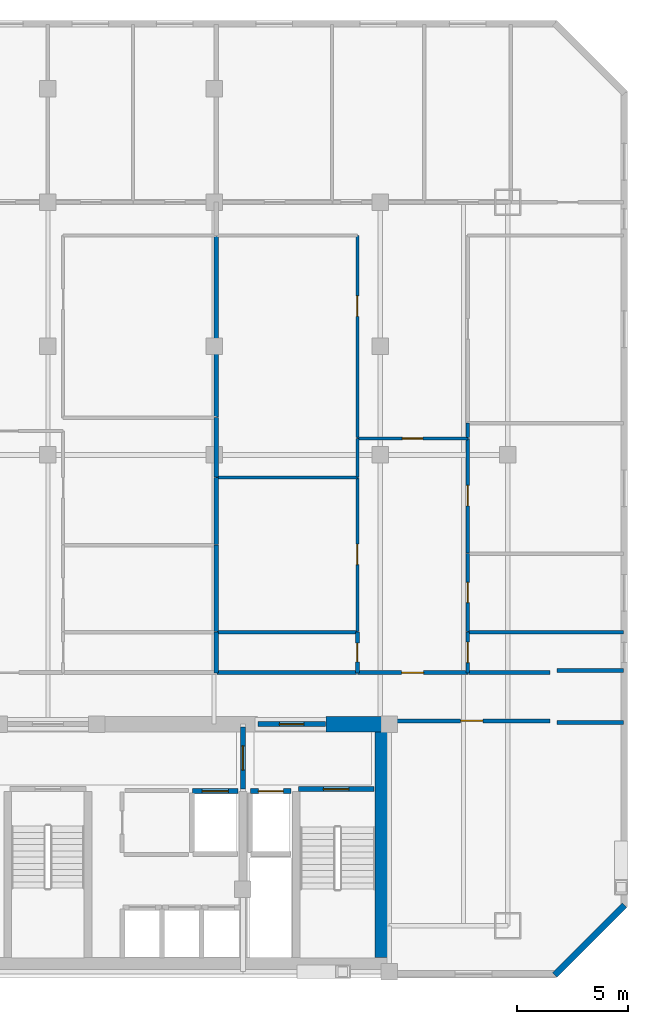
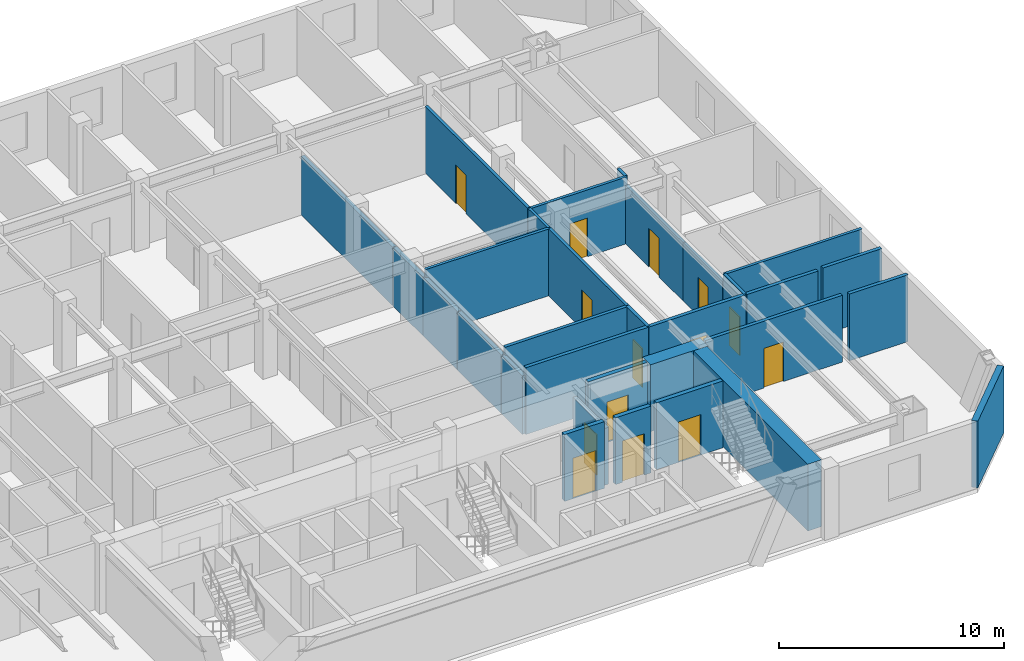
# One storey, part 5 of 8: 31 walls, 14 doors, 14 openings.
"""IFC4 building model written with IfcOpenShell, lengths in metres."""

from ifc_helpers import new_model, si_unit, direction, frame, frame_2d, origin, place, context, subcontext, project, spatial, rectangle, extrude, material, layer, layer_set, type_object, element, fill, save


model = new_model("IFC4")

# Units and contexts
model_context = context("Model", 3, precision=1e-05, world=origin(), true_north=direction((0.0, 1.0)))
body_context = subcontext(model_context, "Body", "Model", "MODEL_VIEW")
ifc_project = project(units=[si_unit("LENGTHUNIT", "METRE"), si_unit("AREAUNIT", "SQUARE_METRE"), si_unit("VOLUMEUNIT", "CUBIC_METRE"), si_unit("PLANEANGLEUNIT", "RADIAN"), si_unit("MASSUNIT", "GRAM", prefix="KILO")], contexts=[model_context])

# Site, building, storey
site_placement = place(None, origin())
site = spatial("IfcSite", under=ifc_project, at=site_placement, CompositionType="ELEMENT")
building_placement = place(site_placement, origin())
building = spatial("IfcBuilding", under=site, at=building_placement, Name="Ventersveld Concourse Tower", CompositionType="ELEMENT")
storey_placement = place(building_placement, frame((0.0, 0.0, 149.050048828125)))
storey = spatial("IfcBuildingStorey", under=building, at=storey_placement, Name="L36", CompositionType="ELEMENT", Elevation=149.050048828125)

# Walls
ifc_material_1 = material(Name="Concrete C60/75", Category="concrete")
ifc_layer_1 = layer(ifc_material_1, 0.699951171875)
ifc_layer_set_1 = layer_set([ifc_layer_1], Name="Concrete C60/75")
wall_type_1 = type_object("IfcWallType", Name="WL-CORE-700", PredefinedType="SHEAR", material=ifc_layer_set_1)
wall_1_placement = place(storey_placement, frame((43.85009765625, 0.919921875, 0.0), z_axis=(0.0, 0.0, 1.0), x_axis=(0.0, 1.0, 0.0)))
element("IfcWall", 1, at=wall_1_placement, inside=storey, type_object=wall_type_1, Name="L36 Rear Core East Shear Wall", PredefinedType="SHEAR", context=body_context, shape_type="SweptSolid", body=[
    extrude(rectangle(XDim=10.530029296875, YDim=0.699951171875, at=frame_2d((5.26513671875, 0.0))), origin(), (0.0, 0.0, 1.0), 3.6298828125),
])
wall_2_placement = place(storey_placement, frame((41.300048828125, 11.449951171875, 0.0), z_axis=(0.0, 0.0, 1.0), x_axis=(1.0, 0.0, 0.0)))
element("IfcWall", 2, at=wall_2_placement, inside=storey, type_object=wall_type_1, Name="L36 Rear Core North Shear Wall NE", PredefinedType="SHEAR", context=body_context, shape_type="SweptSolid", body=[
    extrude(rectangle(XDim=2.949951171875, YDim=0.699951171875, at=frame_2d((1.47509765625, 0.0))), origin(), (0.0, 0.0, 1.0), 3.6298828125),
])

# Wall, opening, door
ifc_material_2 = material(Name="Fire-rated autoclaved aerated masonry blockwork", Category="masonry")
ifc_layer_2 = layer(ifc_material_2, 0.179931640625)
ifc_layer_set_2 = layer_set([ifc_layer_2], Name="Fire-rated autoclaved aerated masonry blockwork")
wall_type_2 = type_object("IfcWallType", Name="WL-CORR-180", PredefinedType="PARTITIONING", material=ifc_layer_set_2)
wall_3_placement = place(storey_placement, frame((44.35498046875, 11.60009765625, 0.0), z_axis=(0.0, 0.0, 1.0), x_axis=(1.0, 0.0, 0.0)))
wall_3 = element("IfcWall", 3, at=wall_3_placement, inside=storey, type_object=wall_type_2, Name="L36 Interior Partition SP-L36-SE-OFF-SP-L36-COR", PredefinedType="PARTITIONING", context=body_context, shape_type="SweptSolid", body=[
    extrude(rectangle(XDim=7.0400390625, YDim=0.179931640625, at=frame_2d((3.52001953125, 0.0))), origin(), (0.0, 0.0, 1.0), 3.6298828125),
])
opening_1_placement = place(wall_3_placement, frame((3.02001953125, 0.0, 0.0)))
opening_1 = element("IfcOpeningElement", 4, at=opening_1_placement, cuts=wall_3, Name="Opening FD3", PredefinedType="OPENING", context=body_context, shape_type="SweptSolid", body=[
    extrude(rectangle(XDim=1.0, YDim=2.14990234375, at=frame_2d((0.5, 1.074951171875))), frame((0.0, 0.10009765625, 0.0), z_axis=(0.0, -1.0, 0.0), x_axis=(1.0, 0.0, 0.0)), (0.0, 0.0, 1.0), 0.199951171875),
])
ifc_material_3 = material(Name="Solid-core hardwood veneer timber", Category="wood")
door_type_1 = type_object("IfcDoorType", Name="DR-FLAT-100", OperationType="NOTDEFINED", PredefinedType="DOOR", material=ifc_material_3)
door_1_placement = place(opening_1_placement, origin())
door_1 = element("IfcDoor", 5, at=door_1_placement, inside=storey, type_object=door_type_1, Name="L36 Interior Door SP-L36-SE-OFF to SP-L36-COR (D-L36-1757)", OperationType="SINGLE_SWING_LEFT", OverallHeight=2.14990234375, OverallWidth=1.0, PredefinedType="DOOR", context=body_context, shape_type="SweptSolid", body=[
    extrude(rectangle(XDim=1.0, YDim=2.14990234375, at=frame_2d((0.5, 1.074951171875))), frame((0.0, 0.02490234375, 0.0), z_axis=(0.0, -1.0, 0.0), x_axis=(1.0, 0.0, 0.0)), (0.0, 0.0, 1.0), 0.050048828125),
])
fill(opening_1, door_1)

wall_4_placement = place(storey_placement, frame((42.7119140625, 13.77001953125, 0.0), z_axis=(0.0, 0.0, 1.0), x_axis=(1.0, 0.0, 0.0)))
wall_4 = element("IfcWall", 6, at=wall_4_placement, inside=storey, type_object=wall_type_2, Name="L36 Interior Partition SP-L36-COR-SP-L36-36N2-FOY", PredefinedType="PARTITIONING", context=body_context, shape_type="SweptSolid", body=[
    extrude(rectangle(XDim=4.989990234375, YDim=0.179931640625, at=frame_2d((2.4951171875, 0.0))), origin(), (0.0, 0.0, 1.0), 3.6298828125),
])
opening_2_placement = place(wall_4_placement, frame((1.9951171875, 0.0, 0.0)))
opening_2 = element("IfcOpeningElement", 7, at=opening_2_placement, cuts=wall_4, Name="Opening FD3", PredefinedType="OPENING", context=body_context, shape_type="SweptSolid", body=[
    extrude(rectangle(XDim=1.0, YDim=2.14990234375, at=frame_2d((0.5, 1.074951171875))), frame((0.0, 0.10009765625, 0.0), z_axis=(0.0, -1.0, 0.0), x_axis=(1.0, 0.0, 0.0)), (0.0, 0.0, 1.0), 0.199951171875),
])
door_2_placement = place(opening_2_placement, origin())
door_2 = element("IfcDoor", 8, at=door_2_placement, inside=storey, type_object=door_type_1, Name="L36 Interior Door SP-L36-COR to SP-L36-36N2-FOY (FD-L36-1760)", OperationType="SINGLE_SWING_RIGHT", OverallHeight=2.14990234375, OverallWidth=1.0, PredefinedType="DOOR", context=body_context, shape_type="SweptSolid", body=[
    extrude(rectangle(XDim=1.0, YDim=2.14990234375, at=frame_2d((0.5, 1.074951171875))), frame((0.0, 0.02490234375, 0.0), z_axis=(0.0, -1.0, 0.0), x_axis=(1.0, 0.0, 0.0)), (0.0, 0.0, 1.0), 0.050048828125),
])
fill(opening_2, door_2)

# Walls
wall_5_placement = place(storey_placement, frame((36.379150390625, 13.77001953125, 0.0), z_axis=(0.0, 0.0, 1.0), x_axis=(1.0, 0.0, 0.0)))
element("IfcWall", 9, at=wall_5_placement, inside=storey, type_object=wall_type_2, Name="L36 Interior Partition SP-L36-COR-SP-L36-36N2-BATH", PredefinedType="PARTITIONING", context=body_context, shape_type="SweptSolid", body=[
    extrude(rectangle(XDim=6.302734375, YDim=0.179931640625, at=frame_2d((3.1513671875, 0.0))), origin(), (0.0, 0.0, 1.0), 3.6298828125),
])
wall_6_placement = place(storey_placement, frame((47.73193359375, 13.77001953125, 0.0), z_axis=(0.0, 0.0, 1.0), x_axis=(1.0, 0.0, 0.0)))
element("IfcWall", 10, at=wall_6_placement, inside=storey, type_object=wall_type_2, Name="L36 Interior Partition SP-L36-COR-SP-L36-36N2-KIT", PredefinedType="PARTITIONING", context=body_context, shape_type="SweptSolid", body=[
    extrude(rectangle(XDim=3.6630859375, YDim=0.179931640625, at=frame_2d((1.83154296875, 0.0))), origin(), (0.0, 0.0, 1.0), 3.6298828125),
])
wall_7_placement = place(storey_placement, frame((51.712158203125, 11.52001953125, 0.0), z_axis=(0.0, 0.0, 1.0), x_axis=(1.0, 0.0, 0.0)))
element("IfcWall", 11, at=wall_7_placement, inside=storey, type_object=wall_type_2, Name="L36 Room Enclosure Wall SP-L36-SE-OFF", PredefinedType="PARTITIONING", context=body_context, shape_type="SweptSolid", body=[
    extrude(rectangle(XDim=3.015380859375, YDim=0.179931640625, at=frame_2d((1.5078125, 0.0))), origin(), (0.0, 0.0, 1.0), 3.6298828125),
])
wall_8_placement = place(storey_placement, frame((54.7275390625, 13.860107421875, 0.0), z_axis=(0.0, 0.0, 1.0), x_axis=(-1.0, 0.0, 0.0)))
element("IfcWall", 12, at=wall_8_placement, inside=storey, type_object=wall_type_2, Name="L36 Room Enclosure Wall SP-L36-36N2-KIT", PredefinedType="PARTITIONING", context=body_context, shape_type="SweptSolid", body=[
    extrude(rectangle(XDim=3.017578125, YDim=0.179931640625, at=frame_2d((1.5087890625, 0.0))), origin(), (0.0, 0.0, 1.0), 3.6298828125),
])
ifc_layer_3 = layer(ifc_material_2, 0.199951171875)
ifc_layer_set_3 = layer_set([ifc_layer_3], Name="Fire-rated autoclaved aerated masonry blockwork")
wall_type_3 = type_object("IfcWallType", Name="WL-DEMISE-200", PredefinedType="PARTITIONING", material=ifc_layer_set_3)
wall_9_placement = place(storey_placement, frame((36.343994140625, 13.764892578125, 0.0), z_axis=(0.0, 0.0, 1.0), x_axis=(0.0, 1.0, 0.0)))
element("IfcWall", 13, at=wall_9_placement, inside=storey, type_object=wall_type_3, Name="L36 Interior Partition SP-L36-36N1-KIT-SP-L36-36N2-BATH", PredefinedType="PARTITIONING", context=body_context, shape_type="SweptSolid", body=[
    extrude(rectangle(XDim=1.840087890625, YDim=0.199951171875, at=frame_2d((0.919921875, 0.0))), origin(), (0.0, 0.0, 1.0), 3.176513671875),
])
wall_10_placement = place(storey_placement, frame((36.343994140625, 15.635009765625, 0.0), z_axis=(0.0, 0.0, 1.0), x_axis=(0.0, 1.0, 0.0)))
element("IfcWall", 14, at=wall_10_placement, inside=storey, type_object=wall_type_3, Name="L36 Interior Partition SP-L36-36N1-SEMR1-SP-L36-36N2-MEDL0", PredefinedType="PARTITIONING", context=body_context, shape_type="SweptSolid", body=[
    extrude(rectangle(XDim=3.886474609375, YDim=0.199951171875, at=frame_2d((1.943359375, 0.0))), origin(), (0.0, 0.0, 1.0), 3.176513671875),
])
wall_11_placement = place(storey_placement, frame((36.343994140625, 19.551513671875, 0.0), z_axis=(0.0, 0.0, 1.0), x_axis=(0.0, 1.0, 0.0)))
element("IfcWall", 15, at=wall_11_placement, inside=storey, type_object=wall_type_3, Name="L36 Interior Partition SP-L36-36N1-DENS-SP-L36-36N2-MEDL0", PredefinedType="PARTITIONING", context=body_context, shape_type="SweptSolid", body=[
    extrude(rectangle(XDim=3.028076171875, YDim=0.199951171875, at=frame_2d((1.51416015625, 0.0))), origin(), (0.0, 0.0, 1.0), 3.176513671875),
])
wall_12_placement = place(storey_placement, frame((36.343994140625, 22.609619140625, 0.0), z_axis=(0.0, 0.0, 1.0), x_axis=(0.0, 1.0, 0.0)))
element("IfcWall", 16, at=wall_12_placement, inside=storey, type_object=wall_type_3, Name="L36 Interior Partition SP-L36-36N1-DENS-SP-L36-36N2-DENL2", PredefinedType="PARTITIONING", context=body_context, shape_type="SweptSolid", body=[
    extrude(rectangle(XDim=2.66748046875, YDim=0.199951171875, at=frame_2d((1.333740234375, 0.0))), origin(), (0.0, 0.0, 1.0), 3.176513671875),
])
wall_13_placement = place(storey_placement, frame((36.343994140625, 25.30712890625, 0.0), z_axis=(0.0, 0.0, 1.0), x_axis=(0.0, 1.0, 0.0)))
element("IfcWall", 17, at=wall_13_placement, inside=storey, type_object=wall_type_3, Name="L36 Interior Partition SP-L36-36N1-DENS2-SP-L36-36N2-DENL2", PredefinedType="PARTITIONING", context=body_context, shape_type="SweptSolid", body=[
    extrude(rectangle(XDim=8.157958984375, YDim=0.199951171875, at=frame_2d((4.0791015625, 0.0))), origin(), (0.0, 0.0, 1.0), 3.176513671875),
])

# Wall, opening, door
ifc_layer_4 = layer(ifc_material_2, 0.219970703125)
ifc_layer_set_4 = layer_set([ifc_layer_4], Name="Fire-rated autoclaved aerated masonry blockwork")
wall_type_4 = type_object("IfcWallType", Name="WL-HOIST-220", PredefinedType="SOLIDWALL", material=ifc_layer_set_4)
wall_14_placement = place(storey_placement, frame((37.89990234375, 8.429931640625, 0.0), z_axis=(0.0, 0.0, 1.0), x_axis=(1.0, 0.0, 0.0)))
wall_14 = element("IfcWall", 18, at=wall_14_placement, inside=storey, type_object=wall_type_4, Name="L36 Lift Hoistway Front Wall FFL-02", PredefinedType="SOLIDWALL", context=body_context, shape_type="SweptSolid", body=[
    extrude(rectangle(XDim=1.820068359375, YDim=0.219970703125, at=frame_2d((0.91015625, 0.0))), origin(), (0.0, 0.0, 1.0), 3.6298828125),
])
opening_3_placement = place(wall_14_placement, frame((0.35009765625, 0.0, 0.0)))
opening_3 = element("IfcOpeningElement", 19, at=opening_3_placement, cuts=wall_14, Name="Opening LD1", PredefinedType="OPENING", context=body_context, shape_type="SweptSolid", body=[
    extrude(rectangle(XDim=1.1201171875, YDim=2.25, at=frame_2d((0.56005859375, 1.125))), frame((0.0, 0.1201171875, 0.0), z_axis=(0.0, -1.0, 0.0), x_axis=(1.0, 0.0, 0.0)), (0.0, 0.0, 1.0), 0.239990234375),
])
ifc_material_4 = material(Name="Brushed stainless steel 316", Category="steel")
door_type_2 = type_object("IfcDoorType", Name="LD-FF-112", OperationType="SLIDING_TO_LEFT", PredefinedType="DOOR", material=ifc_material_4)
door_3_placement = place(opening_3_placement, origin())
door_3 = element("IfcDoor", 20, at=door_3_placement, inside=storey, type_object=door_type_2, Name="L36 Lift landing door FFL-02 (LD-L36-FFL-02)", OperationType="SLIDING_TO_RIGHT", OverallHeight=2.25, OverallWidth=1.1201171875, PredefinedType="DOOR", context=body_context, shape_type="SweptSolid", body=[
    extrude(rectangle(XDim=1.1201171875, YDim=2.25, at=frame_2d((0.56005859375, 1.125))), frame((0.0, 0.02490234375, 0.0), z_axis=(0.0, -1.0, 0.0), x_axis=(1.0, 0.0, 0.0)), (0.0, 0.0, 1.0), 0.050048828125),
])
fill(opening_3, door_3)

wall_15_placement = place(storey_placement, frame((35.280029296875, 8.429931640625, 0.0), z_axis=(0.0, 0.0, 1.0), x_axis=(1.0, 0.0, 0.0)))
wall_15 = element("IfcWall", 21, at=wall_15_placement, inside=storey, type_object=wall_type_4, Name="L36 Lift Hoistway Front Wall SVL-01", PredefinedType="SOLIDWALL", context=body_context, shape_type="SweptSolid", body=[
    extrude(rectangle(XDim=2.0400390625, YDim=0.219970703125, at=frame_2d((1.02001953125, 0.0))), origin(), (0.0, 0.0, 1.0), 3.6298828125),
])
opening_4_placement = place(wall_15_placement, frame((0.429931640625, 0.0, 0.0)))
opening_4 = element("IfcOpeningElement", 22, at=opening_4_placement, cuts=wall_15, Name="Opening LD2", PredefinedType="OPENING", context=body_context, shape_type="SweptSolid", body=[
    extrude(rectangle(XDim=1.179931640625, YDim=2.199951171875, at=frame_2d((0.58984375, 1.10009765625))), frame((0.0, 0.1201171875, 0.0), z_axis=(0.0, -1.0, 0.0), x_axis=(1.0, 0.0, 0.0)), (0.0, 0.0, 1.0), 0.239990234375),
])
door_type_3 = type_object("IfcDoorType", Name="LD-PAX-118", OperationType="SLIDING_TO_LEFT", PredefinedType="DOOR", material=ifc_material_4)
door_4_placement = place(opening_4_placement, origin())
door_4 = element("IfcDoor", 23, at=door_4_placement, inside=storey, type_object=door_type_3, Name="L36 Lift landing door SVL-01 (LD-L36-SVL-01)", OperationType="SLIDING_TO_LEFT", OverallHeight=2.199951171875, OverallWidth=1.179931640625, PredefinedType="DOOR", context=body_context, shape_type="SweptSolid", body=[
    extrude(rectangle(XDim=1.179931640625, YDim=2.199951171875, at=frame_2d((0.58984375, 1.10009765625))), frame((0.0, 0.02490234375, 0.0), z_axis=(0.0, -1.0, 0.0), x_axis=(1.0, 0.0, 0.0)), (0.0, 0.0, 1.0), 0.050048828125),
])
fill(opening_4, door_4)

wall_16_placement = place(storey_placement, frame((40.06005859375, 8.52001953125, 0.0), z_axis=(0.0, 0.0, 1.0), x_axis=(1.0, 0.0, 0.0)))
wall_16 = element("IfcWall", 24, at=wall_16_placement, inside=storey, type_object=wall_type_4, Name="L36 Escape Stair ST02 Fire Wall", PredefinedType="SOLIDWALL", context=body_context, shape_type="SweptSolid", body=[
    extrude(rectangle(XDim=3.39990234375, YDim=0.219970703125, at=frame_2d((1.699951171875, 0.0))), origin(), (0.0, 0.0, 1.0), 3.6298828125),
])
opening_5_placement = place(wall_16_placement, frame((1.125, 0.0, 0.0)))
opening_5 = element("IfcOpeningElement", 25, at=opening_5_placement, cuts=wall_16, Name="Opening FD1", PredefinedType="OPENING", context=body_context, shape_type="SweptSolid", body=[
    extrude(rectangle(XDim=1.14990234375, YDim=2.199951171875, at=frame_2d((0.574951171875, 1.10009765625))), frame((0.0, 0.1201171875, 0.0), z_axis=(0.0, -1.0, 0.0), x_axis=(1.0, 0.0, 0.0)), (0.0, 0.0, 1.0), 0.239990234375),
])
ifc_material_5 = material(Name="Galvanised painted steel", Category="steel")
door_type_4 = type_object("IfcDoorType", Name="DR-STAIR-115", OperationType="NOTDEFINED", PredefinedType="DOOR", material=ifc_material_5)
door_5_placement = place(opening_5_placement, origin())
door_5 = element("IfcDoor", 26, at=door_5_placement, inside=storey, type_object=door_type_4, Name="L36 Escape Stair Door ST02 (SD-L36-1747)", OperationType="SINGLE_SWING_RIGHT", OverallHeight=2.199951171875, OverallWidth=1.14990234375, PredefinedType="DOOR", context=body_context, shape_type="SweptSolid", body=[
    extrude(rectangle(XDim=1.14990234375, YDim=2.199951171875, at=frame_2d((0.574951171875, 1.10009765625))), frame((0.0, 0.02490234375, 0.0), z_axis=(0.0, -1.0, 0.0), x_axis=(1.0, 0.0, 0.0)), (0.0, 0.0, 1.0), 0.050048828125),
])
fill(opening_5, door_5)

wall_17_placement = place(storey_placement, frame((37.550048828125, 8.52001953125, 0.0), z_axis=(0.0, 0.0, 1.0), x_axis=(0.0, 1.0, 0.0)))
wall_17 = element("IfcWall", 27, at=wall_17_placement, inside=storey, type_object=wall_type_4, Name="L36 Firefighting Lobby Smoke-Stop Wall FFLE-SEP", PredefinedType="SOLIDWALL", context=body_context, shape_type="SweptSolid", body=[
    extrude(rectangle(XDim=2.800048828125, YDim=0.219970703125, at=frame_2d((1.39990234375, 0.0))), origin(), (0.0, 0.0, 1.0), 3.08544921875),
])
opening_6_placement = place(wall_17_placement, frame((0.85009765625, 0.0, 0.0)))
opening_6 = element("IfcOpeningElement", 28, at=opening_6_placement, cuts=wall_17, Name="Opening FD2", PredefinedType="OPENING", context=body_context, shape_type="SweptSolid", body=[
    extrude(rectangle(XDim=1.10009765625, YDim=2.199951171875, at=frame_2d((0.550048828125, 1.10009765625))), frame((0.0, 0.1201171875, 0.0), z_axis=(0.0, -1.0, 0.0), x_axis=(1.0, 0.0, 0.0)), (0.0, 0.0, 1.0), 0.239990234375),
])
door_type_5 = type_object("IfcDoorType", Name="DR-FFL-110", OperationType="NOTDEFINED", PredefinedType="DOOR", material=ifc_material_5)
door_6_placement = place(opening_6_placement, origin())
door_6 = element("IfcDoor", 29, at=door_6_placement, inside=storey, type_object=door_type_5, Name="L36 Firefighting Lobby Door FFLE-SEP (FD-L36-1750)", OperationType="SINGLE_SWING_RIGHT", OverallHeight=2.199951171875, OverallWidth=1.10009765625, PredefinedType="DOOR", context=body_context, shape_type="SweptSolid", body=[
    extrude(rectangle(XDim=1.10009765625, YDim=2.199951171875, at=frame_2d((0.550048828125, 1.10009765625))), frame((0.0, 0.02490234375, 0.0), z_axis=(0.0, -1.0, 0.0), x_axis=(1.0, 0.0, 0.0)), (0.0, 0.0, 1.0), 0.050048828125),
])
fill(opening_6, door_6)

wall_18_placement = place(storey_placement, frame((38.22998046875, 11.449951171875, 0.0), z_axis=(0.0, 0.0, 1.0), x_axis=(1.0, 0.0, 0.0)))
wall_18 = element("IfcWall", 30, at=wall_18_placement, inside=storey, type_object=wall_type_4, Name="L36 Core North Fire Portal FFLE-OUT", PredefinedType="SOLIDWALL", context=body_context, shape_type="SweptSolid", body=[
    extrude(rectangle(XDim=3.0400390625, YDim=0.219970703125, at=frame_2d((1.52001953125, 0.0))), origin(), (0.0, 0.0, 1.0), 3.6298828125),
])
opening_7_placement = place(wall_18_placement, frame((0.969970703125, 0.0, 0.0)))
opening_7 = element("IfcOpeningElement", 31, at=opening_7_placement, cuts=wall_18, Name="Opening FD2", PredefinedType="OPENING", context=body_context, shape_type="SweptSolid", body=[
    extrude(rectangle(XDim=1.10009765625, YDim=2.199951171875, at=frame_2d((0.550048828125, 1.10009765625))), frame((0.0, 0.1201171875, 0.0), z_axis=(0.0, -1.0, 0.0), x_axis=(1.0, 0.0, 0.0)), (0.0, 0.0, 1.0), 0.239990234375),
])
door_7_placement = place(opening_7_placement, origin())
door_7 = element("IfcDoor", 32, at=door_7_placement, inside=storey, type_object=door_type_5, Name="L36 Core Lobby Fire Door FFLE-OUT (FD-L36-1753)", OperationType="SINGLE_SWING_LEFT", OverallHeight=2.199951171875, OverallWidth=1.10009765625, PredefinedType="DOOR", context=body_context, shape_type="SweptSolid", body=[
    extrude(rectangle(XDim=1.10009765625, YDim=2.199951171875, at=frame_2d((0.550048828125, 1.10009765625))), frame((0.0, 0.02490234375, 0.0), z_axis=(0.0, -1.0, 0.0), x_axis=(1.0, 0.0, 0.0)), (0.0, 0.0, 1.0), 0.050048828125),
])
fill(opening_7, door_7)

ifc_material_6 = material(Name="Autoclaved aerated masonry blockwork", Category="masonry")
ifc_layer_5 = layer(ifc_material_6, 0.14990234375)
ifc_layer_set_5 = layer_set([ifc_layer_5], Name="Autoclaved aerated masonry blockwork")
wall_type_5 = type_object("IfcWallType", Name="WL-INT-150", PredefinedType="PARTITIONING", material=ifc_layer_set_5)
wall_19_placement = place(storey_placement, frame((42.7119140625, 24.33837890625, 0.0), z_axis=(0.0, 0.0, 1.0), x_axis=(1.0, 0.0, 0.0)))
wall_19 = element("IfcWall", 33, at=wall_19_placement, inside=storey, type_object=wall_type_5, Name="L36 Interior Partition SP-L36-36N2-FOY-SP-L36-36N2-LIV", PredefinedType="PARTITIONING", context=body_context, shape_type="SweptSolid", body=[
    extrude(rectangle(XDim=4.989990234375, YDim=0.14990234375, at=frame_2d((2.4951171875, 0.0))), origin(), (0.0, 0.0, 1.0), 3.6298828125),
])
opening_8_placement = place(wall_19_placement, frame((2.034912109375, 0.0, 0.0)))
opening_8 = element("IfcOpeningElement", 34, at=opening_8_placement, cuts=wall_19, Name="Opening ID1", PredefinedType="OPENING", context=body_context, shape_type="SweptSolid", body=[
    extrude(rectangle(XDim=0.919921875, YDim=2.10009765625, at=frame_2d((0.4599609375, 1.050048828125))), frame((0.0, 0.0849609375, 0.0), z_axis=(0.0, -1.0, 0.0), x_axis=(1.0, 0.0, 0.0)), (0.0, 0.0, 1.0), 0.169921875),
])
door_type_6 = type_object("IfcDoorType", Name="DR-ROOM-092", OperationType="NOTDEFINED", PredefinedType="DOOR", material=ifc_material_3)
door_8_placement = place(opening_8_placement, origin())
door_8 = element("IfcDoor", 35, at=door_8_placement, inside=storey, type_object=door_type_6, Name="L36 Interior Door SP-L36-36N2-FOY to SP-L36-36N2-LIV (D-L36-1788)", OperationType="SINGLE_SWING_RIGHT", OverallHeight=2.10009765625, OverallWidth=0.919921875, PredefinedType="DOOR", context=body_context, shape_type="SweptSolid", body=[
    extrude(rectangle(XDim=0.919921875, YDim=2.10009765625, at=frame_2d((0.4599609375, 1.050048828125))), frame((0.0, 0.02490234375, 0.0), z_axis=(0.0, -1.0, 0.0), x_axis=(1.0, 0.0, 0.0)), (0.0, 0.0, 1.0), 0.050048828125),
])
fill(opening_8, door_8)

wall_20_placement = place(storey_placement, frame((42.717041015625, 15.635009765625, 0.0), z_axis=(0.0, 0.0, 1.0), x_axis=(0.0, 1.0, 0.0)))
wall_20 = element("IfcWall", 36, at=wall_20_placement, inside=storey, type_object=wall_type_5, Name="L36 Interior Partition SP-L36-36N2-FOY-SP-L36-36N2-MEDL0", PredefinedType="PARTITIONING", context=body_context, shape_type="SweptSolid", body=[
    extrude(rectangle(XDim=6.944580078125, YDim=0.14990234375, at=frame_2d((3.47216796875, 0.0))), origin(), (0.0, 0.0, 1.0), 3.6298828125),
])
opening_9_placement = place(wall_20_placement, frame((3.01220703125, 0.0, 0.0)))
opening_9 = element("IfcOpeningElement", 37, at=opening_9_placement, cuts=wall_20, Name="Opening ID1", PredefinedType="OPENING", context=body_context, shape_type="SweptSolid", body=[
    extrude(rectangle(XDim=0.919921875, YDim=2.10009765625, at=frame_2d((0.4599609375, 1.050048828125))), frame((0.0, 0.0849609375, 0.0), z_axis=(0.0, -1.0, 0.0), x_axis=(1.0, 0.0, 0.0)), (0.0, 0.0, 1.0), 0.169921875),
])
door_9_placement = place(opening_9_placement, origin())
door_9 = element("IfcDoor", 38, at=door_9_placement, inside=storey, type_object=door_type_6, Name="L36 Interior Door SP-L36-36N2-FOY to SP-L36-36N2-MEDL0 (D-L36-1790)", OperationType="SINGLE_SWING_RIGHT", OverallHeight=2.10009765625, OverallWidth=0.919921875, PredefinedType="DOOR", context=body_context, shape_type="SweptSolid", body=[
    extrude(rectangle(XDim=0.919921875, YDim=2.10009765625, at=frame_2d((0.4599609375, 1.050048828125))), frame((0.0, 0.02490234375, 0.0), z_axis=(0.0, -1.0, 0.0), x_axis=(1.0, 0.0, 0.0)), (0.0, 0.0, 1.0), 0.050048828125),
])
fill(opening_9, door_9)

# Wall
wall_21_placement = place(storey_placement, frame((42.717041015625, 22.609619140625, 0.0), z_axis=(0.0, 0.0, 1.0), x_axis=(0.0, 1.0, 0.0)))
element("IfcWall", 39, at=wall_21_placement, inside=storey, type_object=wall_type_5, Name="L36 Interior Partition SP-L36-36N2-FOY-SP-L36-36N2-DENL2", PredefinedType="PARTITIONING", context=body_context, shape_type="SweptSolid", body=[
    extrude(rectangle(XDim=1.73388671875, YDim=0.14990234375, at=frame_2d((0.866943359375, 0.0))), origin(), (0.0, 0.0, 1.0), 3.6298828125),
])

# Wall, opening, door
wall_22_placement = place(storey_placement, frame((47.697021484375, 13.764892578125, 0.0), z_axis=(0.0, 0.0, 1.0), x_axis=(0.0, 1.0, 0.0)))
wall_22 = element("IfcWall", 40, at=wall_22_placement, inside=storey, type_object=wall_type_5, Name="L36 Interior Partition SP-L36-36N2-FOY-SP-L36-36N2-KIT", PredefinedType="PARTITIONING", context=body_context, shape_type="SweptSolid", body=[
    extrude(rectangle(XDim=1.840087890625, YDim=0.14990234375, at=frame_2d((0.919921875, 0.0))), origin(), (0.0, 0.0, 1.0), 3.6298828125),
])
opening_10_placement = place(wall_22_placement, frame((0.4599609375, 0.0, 0.0)))
opening_10 = element("IfcOpeningElement", 41, at=opening_10_placement, cuts=wall_22, Name="Opening ID1", PredefinedType="OPENING", context=body_context, shape_type="SweptSolid", body=[
    extrude(rectangle(XDim=0.919921875, YDim=2.10009765625, at=frame_2d((0.4599609375, 1.050048828125))), frame((0.0, 0.0849609375, 0.0), z_axis=(0.0, -1.0, 0.0), x_axis=(1.0, 0.0, 0.0)), (0.0, 0.0, 1.0), 0.169921875),
])
door_10_placement = place(opening_10_placement, origin())
door_10 = element("IfcDoor", 42, at=door_10_placement, inside=storey, type_object=door_type_6, Name="L36 Interior Door SP-L36-36N2-FOY to SP-L36-36N2-KIT (D-L36-1792)", OperationType="SINGLE_SWING_RIGHT", OverallHeight=2.10009765625, OverallWidth=0.919921875, PredefinedType="DOOR", context=body_context, shape_type="SweptSolid", body=[
    extrude(rectangle(XDim=0.919921875, YDim=2.10009765625, at=frame_2d((0.4599609375, 1.050048828125))), frame((0.0, 0.02490234375, 0.0), z_axis=(0.0, -1.0, 0.0), x_axis=(1.0, 0.0, 0.0)), (0.0, 0.0, 1.0), 0.050048828125),
])
fill(opening_10, door_10)

wall_23_placement = place(storey_placement, frame((47.697021484375, 15.635009765625, 0.0), z_axis=(0.0, 0.0, 1.0), x_axis=(0.0, 1.0, 0.0)))
wall_23 = element("IfcWall", 43, at=wall_23_placement, inside=storey, type_object=wall_type_5, Name="L36 Interior Partition SP-L36-36N2-FOY-SP-L36-36N2-SEMR1", PredefinedType="PARTITIONING", context=body_context, shape_type="SweptSolid", body=[
    extrude(rectangle(XDim=3.5087890625, YDim=0.14990234375, at=frame_2d((1.75439453125, 0.0))), origin(), (0.0, 0.0, 1.0), 3.176513671875),
])
opening_11_placement = place(wall_23_placement, frame((1.29443359375, 0.0, 0.0)))
opening_11 = element("IfcOpeningElement", 44, at=opening_11_placement, cuts=wall_23, Name="Opening ID1", PredefinedType="OPENING", context=body_context, shape_type="SweptSolid", body=[
    extrude(rectangle(XDim=0.919921875, YDim=2.10009765625, at=frame_2d((0.4599609375, 1.050048828125))), frame((0.0, 0.0849609375, 0.0), z_axis=(0.0, -1.0, 0.0), x_axis=(1.0, 0.0, 0.0)), (0.0, 0.0, 1.0), 0.169921875),
])
door_11_placement = place(opening_11_placement, origin())
door_11 = element("IfcDoor", 45, at=door_11_placement, inside=storey, type_object=door_type_6, Name="L36 Interior Door SP-L36-36N2-FOY to SP-L36-36N2-SEMR1 (D-L36-1793)", OperationType="SINGLE_SWING_LEFT", OverallHeight=2.10009765625, OverallWidth=0.919921875, PredefinedType="DOOR", context=body_context, shape_type="SweptSolid", body=[
    extrude(rectangle(XDim=0.919921875, YDim=2.10009765625, at=frame_2d((0.4599609375, 1.050048828125))), frame((0.0, 0.02490234375, 0.0), z_axis=(0.0, -1.0, 0.0), x_axis=(1.0, 0.0, 0.0)), (0.0, 0.0, 1.0), 0.050048828125),
])
fill(opening_11, door_11)

wall_24_placement = place(storey_placement, frame((47.697021484375, 19.173828125, 0.0), z_axis=(0.0, 0.0, 1.0), x_axis=(0.0, 1.0, 0.0)))
wall_24 = element("IfcWall", 46, at=wall_24_placement, inside=storey, type_object=wall_type_5, Name="L36 Interior Partition SP-L36-36N2-FOY-SP-L36-36N2-DENS", PredefinedType="PARTITIONING", context=body_context, shape_type="SweptSolid", body=[
    extrude(rectangle(XDim=5.169677734375, YDim=0.14990234375, at=frame_2d((2.5849609375, 0.0))), origin(), (0.0, 0.0, 1.0), 3.176513671875),
])
opening_12_placement = place(wall_24_placement, frame((2.124755859375, 0.0, 0.0)))
opening_12 = element("IfcOpeningElement", 47, at=opening_12_placement, cuts=wall_24, Name="Opening ID1", PredefinedType="OPENING", context=body_context, shape_type="SweptSolid", body=[
    extrude(rectangle(XDim=0.919921875, YDim=2.10009765625, at=frame_2d((0.4599609375, 1.050048828125))), frame((0.0, 0.0849609375, 0.0), z_axis=(0.0, -1.0, 0.0), x_axis=(1.0, 0.0, 0.0)), (0.0, 0.0, 1.0), 0.169921875),
])
door_12_placement = place(opening_12_placement, origin())
door_12 = element("IfcDoor", 48, at=door_12_placement, inside=storey, type_object=door_type_6, Name="L36 Interior Door SP-L36-36N2-FOY to SP-L36-36N2-DENS (D-L36-1794)", OperationType="SINGLE_SWING_RIGHT", OverallHeight=2.10009765625, OverallWidth=0.919921875, PredefinedType="DOOR", context=body_context, shape_type="SweptSolid", body=[
    extrude(rectangle(XDim=0.919921875, YDim=2.10009765625, at=frame_2d((0.4599609375, 1.050048828125))), frame((0.0, 0.02490234375, 0.0), z_axis=(0.0, -1.0, 0.0), x_axis=(1.0, 0.0, 0.0)), (0.0, 0.0, 1.0), 0.050048828125),
])
fill(opening_12, door_12)

wall_25_placement = place(storey_placement, frame((42.717041015625, 24.37353515625, 0.0), z_axis=(0.0, 0.0, 1.0), x_axis=(0.0, 1.0, 0.0)))
wall_25 = element("IfcWall", 49, at=wall_25_placement, inside=storey, type_object=wall_type_5, Name="L36 Interior Partition SP-L36-36N2-LIV-SP-L36-36N2-DENL2", PredefinedType="PARTITIONING", context=body_context, shape_type="SweptSolid", body=[
    extrude(rectangle(XDim=9.13134765625, YDim=0.14990234375, at=frame_2d((4.565673828125, 0.0))), origin(), (0.0, 0.0, 1.0), 3.6298828125),
])
opening_13_placement = place(wall_25_placement, frame((5.4755859375, 0.0, 0.0)))
opening_13 = element("IfcOpeningElement", 50, at=opening_13_placement, cuts=wall_25, Name="Opening ID1", PredefinedType="OPENING", context=body_context, shape_type="SweptSolid", body=[
    extrude(rectangle(XDim=0.919921875, YDim=2.10009765625, at=frame_2d((0.4599609375, 1.050048828125))), frame((0.0, 0.0849609375, 0.0), z_axis=(0.0, -1.0, 0.0), x_axis=(1.0, 0.0, 0.0)), (0.0, 0.0, 1.0), 0.169921875),
])
door_13_placement = place(opening_13_placement, origin())
door_13 = element("IfcDoor", 51, at=door_13_placement, inside=storey, type_object=door_type_6, Name="L36 Interior Door SP-L36-36N2-LIV to SP-L36-36N2-DENL2 (D-L36-1795)", OperationType="SINGLE_SWING_LEFT", OverallHeight=2.10009765625, OverallWidth=0.919921875, PredefinedType="DOOR", context=body_context, shape_type="SweptSolid", body=[
    extrude(rectangle(XDim=0.919921875, YDim=2.10009765625, at=frame_2d((0.4599609375, 1.050048828125))), frame((0.0, 0.02490234375, 0.0), z_axis=(0.0, -1.0, 0.0), x_axis=(1.0, 0.0, 0.0)), (0.0, 0.0, 1.0), 0.050048828125),
])
fill(opening_13, door_13)

# Walls
wall_26_placement = place(storey_placement, frame((47.697021484375, 24.37353515625, 0.0), z_axis=(0.0, 0.0, 1.0), x_axis=(0.0, 1.0, 0.0)))
element("IfcWall", 52, at=wall_26_placement, inside=storey, type_object=wall_type_5, Name="L36 Interior Partition SP-L36-36N2-LIV-SP-L36-36N2-DENS", PredefinedType="PARTITIONING", context=body_context, shape_type="SweptSolid", body=[
    extrude(rectangle(XDim=0.66357421875, YDim=0.14990234375, at=frame_2d((0.331787109375, 0.0))), origin(), (0.0, 0.0, 1.0), 3.6298828125),
])
wall_27_placement = place(storey_placement, frame((36.339111328125, 22.57470703125, 0.0), z_axis=(0.0, 0.0, 1.0), x_axis=(1.0, 0.0, 0.0)))
element("IfcWall", 53, at=wall_27_placement, inside=storey, type_object=wall_type_5, Name="L36 Interior Partition SP-L36-36N2-MEDL0-SP-L36-36N2-DENL2", PredefinedType="PARTITIONING", context=body_context, shape_type="SweptSolid", body=[
    extrude(rectangle(XDim=6.3828125, YDim=0.14990234375, at=frame_2d((3.19140625, 0.0))), origin(), (0.0, 0.0, 1.0), 3.6298828125),
])
wall_28_placement = place(storey_placement, frame((47.69189453125, 15.60009765625, 0.0), z_axis=(0.0, 0.0, 1.0), x_axis=(1.0, 0.0, 0.0)))
element("IfcWall", 54, at=wall_28_placement, inside=storey, type_object=wall_type_5, Name="L36 Interior Partition SP-L36-36N2-KIT-SP-L36-36N2-SEMR1", PredefinedType="PARTITIONING", context=body_context, shape_type="SweptSolid", body=[
    extrude(rectangle(XDim=7.03564453125, YDim=0.14990234375, at=frame_2d((3.517822265625, 0.0))), origin(), (0.0, 0.0, 1.0), 3.6298828125),
])
ifc_material_7 = material(Name="Precast concrete C45/55", Category="concrete")
ifc_layer_6 = layer(ifc_material_7, 0.300048828125)
ifc_layer_set_6 = layer_set([ifc_layer_6], Name="Precast concrete C45/55")
wall_type_6 = type_object("IfcWallType", Name="WL-PREC-300", PredefinedType="SOLIDWALL", material=ifc_layer_set_6)
wall_29_placement = place(storey_placement, frame((51.622314453125, 0.134521484375, 0.0), z_axis=(0.0, 0.0, 1.0), x_axis=(0.707106781187, 0.707106781187, 0.0)))
element("IfcWall", 55, at=wall_29_placement, inside=storey, type_object=wall_type_6, Name="L36 Highveld Precast Facade Wall E02", PredefinedType="SOLIDWALL", context=body_context, shape_type="SweptSolid", body=[
    extrude(rectangle(XDim=4.4453125, YDim=0.300048828125, at=frame_2d((2.22265625, 0.0))), origin(), (0.0, 0.0, 1.0), 3.6298828125),
])

# Wall, opening, door
ifc_layer_7 = layer(ifc_material_6, 0.1650390625)
ifc_layer_set_7 = layer_set([ifc_layer_7], Name="Autoclaved aerated masonry blockwork")
wall_type_7 = type_object("IfcWallType", Name="WL-WET-165", PredefinedType="PLUMBINGWALL", material=ifc_layer_set_7)
wall_30_placement = place(storey_placement, frame((42.717041015625, 13.764892578125, 0.0), z_axis=(0.0, 0.0, 1.0), x_axis=(0.0, 1.0, 0.0)))
wall_30 = element("IfcWall", 56, at=wall_30_placement, inside=storey, type_object=wall_type_7, Name="L36 Interior Partition SP-L36-36N2-FOY-SP-L36-36N2-BATH", PredefinedType="PLUMBINGWALL", context=body_context, shape_type="SweptSolid", body=[
    extrude(rectangle(XDim=1.840087890625, YDim=0.1650390625, at=frame_2d((0.919921875, 0.0))), origin(), (0.0, 0.0, 1.0), 3.6298828125),
])
opening_14_placement = place(wall_30_placement, frame((0.4951171875, 0.0, 0.0)))
opening_14 = element("IfcOpeningElement", 57, at=opening_14_placement, cuts=wall_30, Name="Opening ID2", PredefinedType="OPENING", context=body_context, shape_type="SweptSolid", body=[
    extrude(rectangle(XDim=0.85009765625, YDim=2.10009765625, at=frame_2d((0.425048828125, 1.050048828125))), frame((0.0, 0.092529296875, 0.0), z_axis=(0.0, -1.0, 0.0), x_axis=(1.0, 0.0, 0.0)), (0.0, 0.0, 1.0), 0.18505859375),
])
door_type_7 = type_object("IfcDoorType", Name="DR-BATH-085", OperationType="NOTDEFINED", PredefinedType="DOOR", material=ifc_material_3)
door_14_placement = place(opening_14_placement, origin())
door_14 = element("IfcDoor", 58, at=door_14_placement, inside=storey, type_object=door_type_7, Name="L36 Interior Door SP-L36-36N2-FOY to SP-L36-36N2-BATH (D-L36-1789)", OperationType="SINGLE_SWING_LEFT", OverallHeight=2.10009765625, OverallWidth=0.85009765625, PredefinedType="DOOR", context=body_context, shape_type="SweptSolid", body=[
    extrude(rectangle(XDim=0.85009765625, YDim=2.10009765625, at=frame_2d((0.425048828125, 1.050048828125))), frame((0.0, 0.02490234375, 0.0), z_axis=(0.0, -1.0, 0.0), x_axis=(1.0, 0.0, 0.0)), (0.0, 0.0, 1.0), 0.050048828125),
])
fill(opening_14, door_14)

# Wall
wall_31_placement = place(storey_placement, frame((36.379150390625, 15.60009765625, 0.0), z_axis=(0.0, 0.0, 1.0), x_axis=(1.0, 0.0, 0.0)))
element("IfcWall", 59, at=wall_31_placement, inside=storey, type_object=wall_type_7, Name="L36 Interior Partition SP-L36-36N2-BATH-SP-L36-36N2-MEDL0", PredefinedType="PLUMBINGWALL", context=body_context, shape_type="SweptSolid", body=[
    extrude(rectangle(XDim=6.3427734375, YDim=0.1650390625, at=frame_2d((3.17138671875, 0.0))), origin(), (0.0, 0.0, 1.0), 3.6298828125),
])

save(model, "model.ifc")
